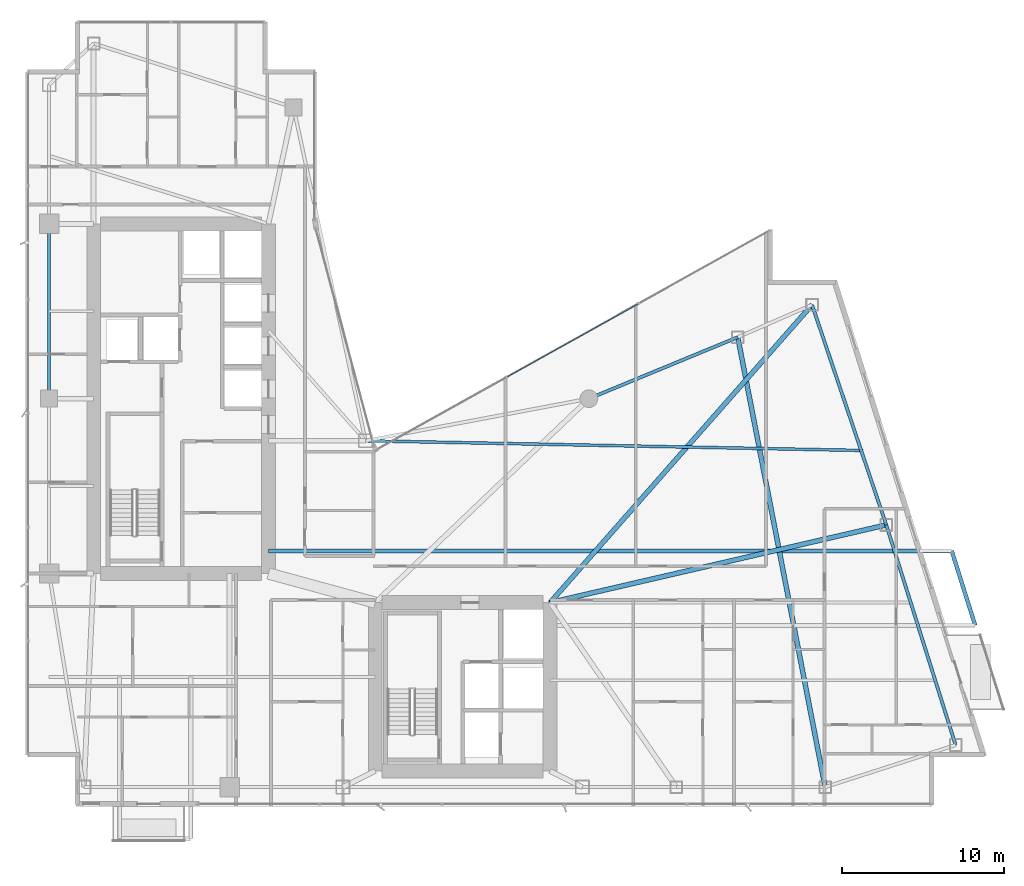
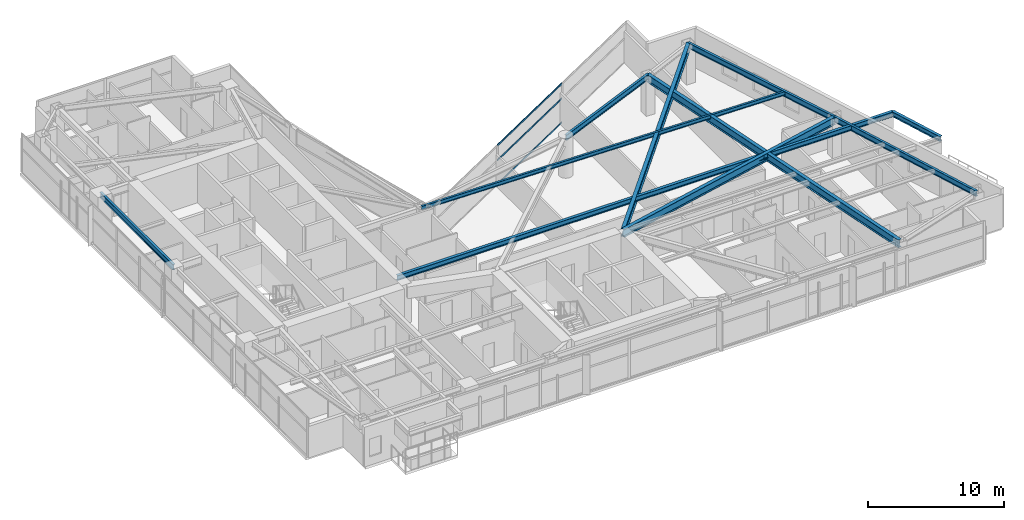
# One storey, part 15 of 29: 10 beams, 3 members, 1 element without a shape of its own.
"""IFC4 building model written with IfcOpenShell, lengths in metres."""

from ifc_helpers import new_model, si_unit, direction, frame, origin, origin_2d, place, context, subcontext, project, spatial, hollow_rectangle, i_section, extrude, material, layer, layer_set, material_profile, profile_set, type_object, element, aggregate, save


model = new_model("IFC4")

# Units and contexts
model_context = context("Model", 3, precision=1e-05, world=origin(), true_north=direction((0.0, 1.0)))
body_context = subcontext(model_context, "Body", "Model", "MODEL_VIEW")
ifc_project = project(units=[si_unit("LENGTHUNIT", "METRE"), si_unit("AREAUNIT", "SQUARE_METRE"), si_unit("VOLUMEUNIT", "CUBIC_METRE"), si_unit("PLANEANGLEUNIT", "RADIAN"), si_unit("MASSUNIT", "GRAM", prefix="KILO")], contexts=[model_context])

# Site, building, storey
site_placement = place(None, origin())
site = spatial("IfcSite", under=ifc_project, at=site_placement, CompositionType="ELEMENT")
building_placement = place(site_placement, origin())
building = spatial("IfcBuilding", under=site, at=building_placement, Name="Calvorn Quay Hotel", CompositionType="ELEMENT")
storey_placement = place(building_placement, frame((0.0, 0.0, 124.0)))
storey = spatial("IfcBuildingStorey", under=building, at=storey_placement, Name="L30", CompositionType="ELEMENT", Elevation=124.0)

# Beams
ifc_material_1 = material(Name="Steel Q355B", Category="steel")
ifc_material_profile_1 = material_profile(ifc_material_1, i_section(OverallWidth=0.25, OverallDepth=0.449951171875, WebThickness=0.011962890625, FlangeThickness=0.01611328125, FilletRadius=0.01611328125, at=origin_2d()), Name="HN450x250x12x16")
ifc_profile_set_1 = profile_set([ifc_material_profile_1], Name="Steel Q355B")
beam_type_1 = type_object("IfcBeamType", Name="BM-CANT-BALC", PredefinedType="BEAM", material=ifc_profile_set_1)
beam_1_placement = place(storey_placement, frame((15.0, 18.199951171875, 3.31494140625), z_axis=(1.0, 0.0, 0.0), x_axis=(0.0, 1.0, 0.0)))
element("IfcBeam", 1, at=beam_1_placement, inside=storey, type_object=beam_type_1, Name="Cantilever Balcony Beam BCB-L31-1B", PredefinedType="BEAM", context=body_context, shape_type="SweptSolid", body=[
    extrude(i_section(OverallWidth=0.25, OverallDepth=0.449951171875, WebThickness=0.011962890625, FlangeThickness=0.01611328125, FilletRadius=0.01611328125, at=origin_2d()), origin(), (0.0, 0.0, 1.0), 42.219970703125),
])
beam_2_placement = place(storey_placement, frame((58.6689453125, 13.60009765625, 3.31494140625), z_axis=(-0.300450487966, 0.953797412599, 0.0), x_axis=(-0.953797412599, -0.300450487966, 0.0)))
element("IfcBeam", 2, at=beam_2_placement, inside=storey, type_object=beam_type_1, Name="Beam BCBO-L31-1", PredefinedType="BEAM", context=body_context, shape_type="SweptSolid", body=[
    extrude(i_section(OverallWidth=0.25, OverallDepth=0.449951171875, WebThickness=0.011962890625, FlangeThickness=0.01611328125, FilletRadius=0.01611328125, at=origin_2d()), origin(), (0.0, 0.0, 1.0), 4.82275390625),
])
ifc_material_2 = material(Name="Steel Q390GJC", Category="steel")
ifc_material_profile_2 = material_profile(ifc_material_2, i_section(OverallWidth=0.300048828125, OverallDepth=0.699951171875, WebThickness=0.012939453125, FlangeThickness=0.02392578125, FilletRadius=0.02392578125, at=origin_2d()), Name="HN700x300x13x24")
ifc_profile_set_2 = profile_set([ifc_material_profile_2], Name="Steel Q390GJC")
beam_type_2 = type_object("IfcBeamType", Name="BM-GIRD-MAIN", PredefinedType="BEAM", material=ifc_profile_set_2)
beam_3_placement = place(storey_placement, frame((32.39990234375, 15.0, 3.18994140625), z_axis=(0.974334045812, 0.225107012711, 0.0), x_axis=(-0.225107012711, 0.974334045812, 0.0)))
element("IfcBeam", 3, at=beam_3_placement, inside=storey, type_object=beam_type_2, Name="Beam BG-L30-E2", PredefinedType="BEAM", context=body_context, shape_type="SweptSolid", body=[
    extrude(i_section(OverallWidth=0.300048828125, OverallDepth=0.699951171875, WebThickness=0.012939453125, FlangeThickness=0.02392578125, FilletRadius=0.02392578125, at=origin_2d()), origin(), (0.0, 0.0, 1.0), 21.323486328125),
])
beam_4_placement = place(storey_placement, frame((32.39990234375, 15.0, 3.18994140625), z_axis=(0.660610604248, 0.750728732336, 0.0), x_axis=(-0.750728732336, 0.660610604248, 0.0)))
element("IfcBeam", 4, at=beam_4_placement, inside=storey, type_object=beam_type_2, Name="Beam BG-L30-E3", PredefinedType="BEAM", context=body_context, shape_type="SweptSolid", body=[
    extrude(i_section(OverallWidth=0.300048828125, OverallDepth=0.699951171875, WebThickness=0.012939453125, FlangeThickness=0.02392578125, FilletRadius=0.02392578125, at=origin_2d()), origin(), (0.0, 0.0, 1.0), 24.50927734375),
])
beam_5_placement = place(storey_placement, frame((49.39990234375, 3.60009765625, 3.18994140625), z_axis=(-0.190678596862, 0.981652521363, 0.0), x_axis=(-0.981652521363, -0.190678596862, 0.0)))
element("IfcBeam", 5, at=beam_5_placement, inside=storey, type_object=beam_type_2, Name="Beam BG-L30-E5", PredefinedType="BEAM", context=body_context, shape_type="SweptSolid", body=[
    extrude(i_section(OverallWidth=0.300048828125, OverallDepth=0.699951171875, WebThickness=0.012939453125, FlangeThickness=0.02392578125, FilletRadius=0.02392578125, at=origin_2d()), origin(), (0.0, 0.0, 1.0), 28.3193359375),
])
ifc_material_3 = material(Name="Steel Q355B", Category="steel")
ifc_material_profile_3 = material_profile(ifc_material_3, i_section(OverallWidth=0.175048828125, OverallDepth=0.35009765625, WebThickness=0.007080078125, FlangeThickness=0.010986328125, FilletRadius=0.013916015625, at=origin_2d()), Name="HN350x175x7x11")
ifc_profile_set_3 = profile_set([ifc_material_profile_3], Name="Steel Q355B")
beam_type_3 = type_object("IfcBeamType", Name="BM-JOIST-SEC", PredefinedType="JOIST", material=ifc_profile_set_3)
beam_6_placement = place(storey_placement, frame((21.0, 25.0, 3.364990234375), z_axis=(0.999809345134, -0.019526222968, 0.0), x_axis=(0.019526222968, 0.999809345134, 0.0)))
element("IfcBeam", 6, at=beam_6_placement, inside=storey, type_object=beam_type_3, Name="Beam BJ-L30-E3", PredefinedType="JOIST", context=body_context, shape_type="SweptSolid", body=[
    extrude(i_section(OverallWidth=0.175048828125, OverallDepth=0.35009765625, WebThickness=0.007080078125, FlangeThickness=0.010986328125, FilletRadius=0.013916015625, at=origin_2d()), origin(), (0.0, 0.0, 1.0), 30.73291015625),
])
ifc_material_4 = material(Name="Steel Q355B", Category="steel")
ifc_material_profile_4 = material_profile(ifc_material_4, i_section(OverallWidth=0.199951171875, OverallDepth=0.5, WebThickness=0.010009765625, FlangeThickness=0.01611328125, FilletRadius=0.01611328125, at=origin_2d()), Name="HN500x200x10x16")
ifc_profile_set_4 = profile_set([ifc_material_profile_4], Name="Steel Q355B")
beam_type_4 = type_object("IfcBeamType", Name="BM-SPANDREL-Z1", PredefinedType="SPANDREL", material=ifc_profile_set_4)
beam_7_placement = place(storey_placement, frame((1.449951171875, 27.60009765625, 3.2900390625), z_axis=(0.0, 1.0, 0.0), x_axis=(-1.0, 0.0, 0.0)))
element("IfcBeam", 7, at=beam_7_placement, inside=storey, type_object=beam_type_4, Name="Beam BSP-L30-W3", PredefinedType="SPANDREL", context=body_context, shape_type="SweptSolid", body=[
    extrude(i_section(OverallWidth=0.199951171875, OverallDepth=0.5, WebThickness=0.010009765625, FlangeThickness=0.01611328125, FilletRadius=0.01611328125, at=origin_2d()), origin(), (0.0, 0.0, 1.0), 10.7998046875),
])
beam_8_placement = place(storey_placement, frame((57.4609375, 6.199951171875, 3.2900390625), z_axis=(-0.300502802767, 0.953780931624, 0.0), x_axis=(-0.953780931624, -0.300502802767, 0.0)))
element("IfcBeam", 8, at=beam_8_placement, inside=storey, type_object=beam_type_4, Name="Beam BSP-L30-E1", PredefinedType="SPANDREL", context=body_context, shape_type="SweptSolid", body=[
    extrude(i_section(OverallWidth=0.199951171875, OverallDepth=0.5, WebThickness=0.010009765625, FlangeThickness=0.01611328125, FilletRadius=0.01611328125, at=origin_2d()), origin(), (0.0, 0.0, 1.0), 14.259033203125),
])
beam_9_placement = place(storey_placement, frame((53.176025390625, 19.800048828125, 3.2900390625), z_axis=(-0.319466515944, 0.947597564998, 0.0), x_axis=(-0.947597564998, -0.319466515944, 0.0)))
element("IfcBeam", 9, at=beam_9_placement, inside=storey, type_object=beam_type_4, Name="Beam BSP-L30-E2", PredefinedType="SPANDREL", context=body_context, shape_type="SweptSolid", body=[
    extrude(i_section(OverallWidth=0.199951171875, OverallDepth=0.5, WebThickness=0.010009765625, FlangeThickness=0.01611328125, FilletRadius=0.01611328125, at=origin_2d()), origin(), (0.0, 0.0, 1.0), 14.35205078125),
])
beam_10_placement = place(storey_placement, frame((44.0, 31.39990234375, 3.2900390625), z_axis=(-0.92426763497, -0.381745123017, 0.0), x_axis=(0.381745123017, -0.92426763497, 0.0)))
element("IfcBeam", 10, at=beam_10_placement, inside=storey, type_object=beam_type_4, Name="Beam BSP-L30-E4", PredefinedType="SPANDREL", context=body_context, shape_type="SweptSolid", body=[
    extrude(i_section(OverallWidth=0.199951171875, OverallDepth=0.5, WebThickness=0.010009765625, FlangeThickness=0.01611328125, FilletRadius=0.01611328125, at=origin_2d()), origin(), (0.0, 0.0, 1.0), 9.953857421875),
])

# Curtain wall, members
ifc_material_5 = material(Name="Pale Anodised Aluminium and Low-E Glass", Category="aluminium")
ifc_layer = layer(ifc_material_5, 0.219970703125)
ifc_layer_set = layer_set([ifc_layer], Name="CW-SYS-Z2")
curtain_wall_type = type_object("IfcCurtainWallType", Name="CW-SYS-Z2", PredefinedType="NOTDEFINED", material=ifc_layer_set)
curtain_wall_placement = place(storey_placement, origin())
curtain_wall = element("IfcCurtainWall", 11, at=curtain_wall_placement, inside=storey, type_object=curtain_wall_type, Name="Inner Court Curtain Wall L30-NE1", PredefinedType="NOTDEFINED")
ifc_material_6 = material(Name="Pale Anodised Aluminium 6063-T6", Category="aluminium")
ifc_material_profile_5 = material_profile(ifc_material_6, hollow_rectangle(XDim=0.06005859375, YDim=0.14990234375, WallThickness=0.00341796875, at=origin_2d()), Name="ALU-T150x60x3.5")
ifc_profile_set_5 = profile_set([ifc_material_profile_5], Name="Pale Anodised Aluminium 6063-T6")
member_type = type_object("IfcMemberType", Name="CW-SYS-Z2-TRN", PredefinedType="USERDEFINED", material=ifc_profile_set_5)
member_1_placement = place(storey_placement, frame((37.840576171875, 33.4521484375, 0.030029296875), z_axis=(-0.873483012802, -0.486854625474, 0.0), x_axis=(0.486854625474, -0.873483012802, 0.0)))
member_1 = element("IfcMember", 12, at=member_1_placement, type_object=member_type, Name="CW-L30-NE1 transom 2.1", ObjectType="TRANSOM", PredefinedType="USERDEFINED", context=body_context, shape_type="SweptSolid", body=[
    extrude(hollow_rectangle(XDim=0.06005859375, YDim=0.14990234375, WallThickness=0.00341796875, at=origin_2d()), origin(), (0.0, 0.0, 1.0), 9.25146484375),
])
member_2_placement = place(storey_placement, frame((37.840576171875, 33.4521484375, 2.199951171875), z_axis=(-0.873483012802, -0.486854625474, 0.0), x_axis=(0.486854625474, -0.873483012802, 0.0)))
member_2 = element("IfcMember", 13, at=member_2_placement, type_object=member_type, Name="CW-L30-NE1 transom 2.2", ObjectType="TRANSOM", PredefinedType="USERDEFINED", context=body_context, shape_type="SweptSolid", body=[
    extrude(hollow_rectangle(XDim=0.06005859375, YDim=0.14990234375, WallThickness=0.00341796875, at=origin_2d()), origin(), (0.0, 0.0, 1.0), 9.25146484375),
])
member_3_placement = place(storey_placement, frame((37.840576171875, 33.4521484375, 3.530029296875), z_axis=(-0.873483012802, -0.486854625474, 0.0), x_axis=(0.486854625474, -0.873483012802, 0.0)))
member_3 = element("IfcMember", 14, at=member_3_placement, type_object=member_type, Name="CW-L30-NE1 transom 2.3", ObjectType="TRANSOM", PredefinedType="USERDEFINED", context=body_context, shape_type="SweptSolid", body=[
    extrude(hollow_rectangle(XDim=0.06005859375, YDim=0.14990234375, WallThickness=0.00341796875, at=origin_2d()), origin(), (0.0, 0.0, 1.0), 9.25146484375),
])
aggregate(curtain_wall, [member_1, member_2, member_3])

save(model, "model.ifc")
